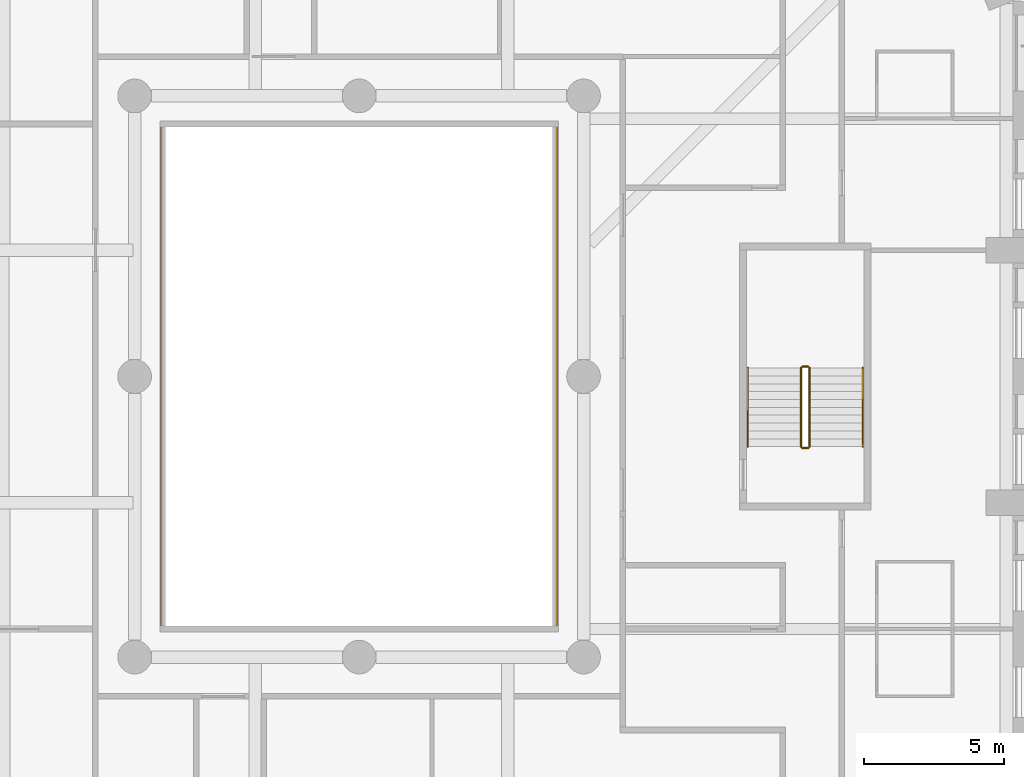
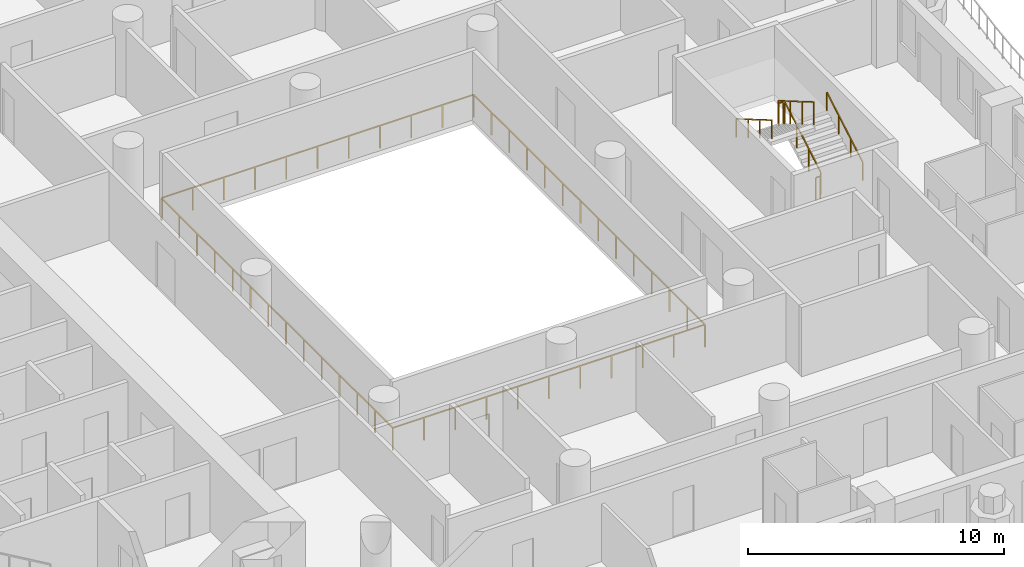
# One storey, part 14 of 19: 7 railings.
"""IFC4 building model written with IfcOpenShell, lengths in metres."""

from ifc_helpers import new_model, si_unit, direction, frame, origin, origin_2d, place, context, subcontext, project, spatial, rectangle, extrude, material, type_object, element, save


model = new_model("IFC4")

# Units and contexts
model_context = context("Model", 3, precision=1e-05, world=origin(), true_north=direction((0.0, 1.0)))
body_context = subcontext(model_context, "Body", "Model", "MODEL_VIEW")
ifc_project = project(units=[si_unit("LENGTHUNIT", "METRE"), si_unit("AREAUNIT", "SQUARE_METRE"), si_unit("VOLUMEUNIT", "CUBIC_METRE"), si_unit("PLANEANGLEUNIT", "RADIAN"), si_unit("MASSUNIT", "GRAM", prefix="KILO")], contexts=[model_context])

# Site, building, storey
site_placement = place(None, origin())
site = spatial("IfcSite", under=ifc_project, at=site_placement, CompositionType="ELEMENT")
building_placement = place(site_placement, origin())
building = spatial("IfcBuilding", under=site, at=building_placement, Name="Cypress Arch Tower", CompositionType="ELEMENT")
storey_placement = place(building_placement, frame((0.0, 0.0, 66.300048828125)))
storey = spatial("IfcBuildingStorey", under=building, at=storey_placement, Name="L10", CompositionType="ELEMENT", Elevation=66.300048828125)

# Railings
ifc_material_1 = material(Name="Stainless steel posts and handrail, laminated glass infill", Category="steel")
railing_type_1 = type_object("IfcRailingType", Name="Atrium guard GR1100A", PredefinedType="GUARDRAIL", material=ifc_material_1)
railing_1_placement = place(storey_placement, frame((8.050048828125, -9.050048828125, 0.0)))
element("IfcRailing", 1, at=railing_1_placement, inside=storey, type_object=railing_type_1, Name="Atrium guard L10", PredefinedType="GUARDRAIL", context=body_context, shape_type="SweptSolid", body=[
    extrude(rectangle(XDim=0.050048828125, YDim=0.050048828125, at=origin_2d()), frame((0.0, 0.0, 1.0751953125), z_axis=(-1.0, 0.0, 0.0), x_axis=(0.0, -1.0, 0.0)), (0.0, 0.0, 1.0), 14.10009765625),
    extrude(rectangle(XDim=0.050048828125, YDim=0.050048828125, at=origin_2d()), frame((-14.10009765625, 0.0, 1.0751953125), z_axis=(0.0, 1.0, 0.0), x_axis=(-1.0, 0.0, 0.0)), (0.0, 0.0, 1.0), 18.10009765625),
    extrude(rectangle(XDim=0.050048828125, YDim=0.050048828125, at=origin_2d()), frame((-14.10009765625, 18.10009765625, 1.0751953125), z_axis=(1.0, 0.0, 0.0), x_axis=(0.0, 1.0, 0.0)), (0.0, 0.0, 1.0), 14.10009765625),
    extrude(rectangle(XDim=0.050048828125, YDim=0.050048828125, at=origin_2d()), frame((0.0, 18.10009765625, 1.0751953125), z_axis=(0.0, -1.0, 0.0), x_axis=(1.0, 0.0, 0.0)), (0.0, 0.0, 1.0), 18.10009765625),
    extrude(rectangle(XDim=0.050048828125, YDim=0.050048828125, at=origin_2d()), origin(), (0.0, 0.0, 1.0), 1.050048828125),
    extrude(rectangle(XDim=0.050048828125, YDim=0.050048828125, at=origin_2d()), frame((-1.409912109375, 0.0, 0.0)), (0.0, 0.0, 1.0), 1.050048828125),
    extrude(rectangle(XDim=0.050048828125, YDim=0.050048828125, at=origin_2d()), frame((-2.820068359375, 0.0, 0.0)), (0.0, 0.0, 1.0), 1.050048828125),
    extrude(rectangle(XDim=0.050048828125, YDim=0.050048828125, at=origin_2d()), frame((-4.22998046875, 0.0, 0.0)), (0.0, 0.0, 1.0), 1.050048828125),
    extrude(rectangle(XDim=0.050048828125, YDim=0.050048828125, at=origin_2d()), frame((-5.64013671875, 0.0, 0.0)), (0.0, 0.0, 1.0), 1.050048828125),
    extrude(rectangle(XDim=0.050048828125, YDim=0.050048828125, at=origin_2d()), frame((-7.050048828125, 0.0, 0.0)), (0.0, 0.0, 1.0), 1.050048828125),
    extrude(rectangle(XDim=0.050048828125, YDim=0.050048828125, at=origin_2d()), frame((-8.4599609375, 0.0, 0.0)), (0.0, 0.0, 1.0), 1.050048828125),
    extrude(rectangle(XDim=0.050048828125, YDim=0.050048828125, at=origin_2d()), frame((-9.8701171875, 0.0, 0.0)), (0.0, 0.0, 1.0), 1.050048828125),
    extrude(rectangle(XDim=0.050048828125, YDim=0.050048828125, at=origin_2d()), frame((-11.280029296875, 0.0, 0.0)), (0.0, 0.0, 1.0), 1.050048828125),
    extrude(rectangle(XDim=0.050048828125, YDim=0.050048828125, at=origin_2d()), frame((-12.690185546875, 0.0, 0.0)), (0.0, 0.0, 1.0), 1.050048828125),
    extrude(rectangle(XDim=0.050048828125, YDim=0.050048828125, at=origin_2d()), frame((-14.10009765625, 0.0, 0.0)), (0.0, 0.0, 1.0), 1.050048828125),
    extrude(rectangle(XDim=0.050048828125, YDim=0.050048828125, at=origin_2d()), frame((-14.10009765625, 1.392333984375, 0.0)), (0.0, 0.0, 1.0), 1.050048828125),
    extrude(rectangle(XDim=0.050048828125, YDim=0.050048828125, at=origin_2d()), frame((-14.10009765625, 2.78466796875, 0.0)), (0.0, 0.0, 1.0), 1.050048828125),
    extrude(rectangle(XDim=0.050048828125, YDim=0.050048828125, at=origin_2d()), frame((-14.10009765625, 4.177001953125, 0.0)), (0.0, 0.0, 1.0), 1.050048828125),
    extrude(rectangle(XDim=0.050048828125, YDim=0.050048828125, at=origin_2d()), frame((-14.10009765625, 5.5693359375, 0.0)), (0.0, 0.0, 1.0), 1.050048828125),
    extrude(rectangle(XDim=0.050048828125, YDim=0.050048828125, at=origin_2d()), frame((-14.10009765625, 6.961669921875, 0.0)), (0.0, 0.0, 1.0), 1.050048828125),
    extrude(rectangle(XDim=0.050048828125, YDim=0.050048828125, at=origin_2d()), frame((-14.10009765625, 8.35400390625, 0.0)), (0.0, 0.0, 1.0), 1.050048828125),
    extrude(rectangle(XDim=0.050048828125, YDim=0.050048828125, at=origin_2d()), frame((-14.10009765625, 9.74609375, 0.0)), (0.0, 0.0, 1.0), 1.050048828125),
    extrude(rectangle(XDim=0.050048828125, YDim=0.050048828125, at=origin_2d()), frame((-14.10009765625, 11.138427734375, 0.0)), (0.0, 0.0, 1.0), 1.050048828125),
    extrude(rectangle(XDim=0.050048828125, YDim=0.050048828125, at=origin_2d()), frame((-14.10009765625, 12.53076171875, 0.0)), (0.0, 0.0, 1.0), 1.050048828125),
    extrude(rectangle(XDim=0.050048828125, YDim=0.050048828125, at=origin_2d()), frame((-14.10009765625, 13.923095703125, 0.0)), (0.0, 0.0, 1.0), 1.050048828125),
    extrude(rectangle(XDim=0.050048828125, YDim=0.050048828125, at=origin_2d()), frame((-14.10009765625, 15.3154296875, 0.0)), (0.0, 0.0, 1.0), 1.050048828125),
    extrude(rectangle(XDim=0.050048828125, YDim=0.050048828125, at=origin_2d()), frame((-14.10009765625, 16.707763671875, 0.0)), (0.0, 0.0, 1.0), 1.050048828125),
    extrude(rectangle(XDim=0.050048828125, YDim=0.050048828125, at=origin_2d()), frame((-14.10009765625, 18.10009765625, 0.0)), (0.0, 0.0, 1.0), 1.050048828125),
    extrude(rectangle(XDim=0.050048828125, YDim=0.050048828125, at=origin_2d()), frame((-12.690185546875, 18.10009765625, 0.0)), (0.0, 0.0, 1.0), 1.050048828125),
    extrude(rectangle(XDim=0.050048828125, YDim=0.050048828125, at=origin_2d()), frame((-11.280029296875, 18.10009765625, 0.0)), (0.0, 0.0, 1.0), 1.050048828125),
    extrude(rectangle(XDim=0.050048828125, YDim=0.050048828125, at=origin_2d()), frame((-9.8701171875, 18.10009765625, 0.0)), (0.0, 0.0, 1.0), 1.050048828125),
    extrude(rectangle(XDim=0.050048828125, YDim=0.050048828125, at=origin_2d()), frame((-8.4599609375, 18.10009765625, 0.0)), (0.0, 0.0, 1.0), 1.050048828125),
    extrude(rectangle(XDim=0.050048828125, YDim=0.050048828125, at=origin_2d()), frame((-7.050048828125, 18.10009765625, 0.0)), (0.0, 0.0, 1.0), 1.050048828125),
    extrude(rectangle(XDim=0.050048828125, YDim=0.050048828125, at=origin_2d()), frame((-5.64013671875, 18.10009765625, 0.0)), (0.0, 0.0, 1.0), 1.050048828125),
    extrude(rectangle(XDim=0.050048828125, YDim=0.050048828125, at=origin_2d()), frame((-4.22998046875, 18.10009765625, 0.0)), (0.0, 0.0, 1.0), 1.050048828125),
    extrude(rectangle(XDim=0.050048828125, YDim=0.050048828125, at=origin_2d()), frame((-2.820068359375, 18.10009765625, 0.0)), (0.0, 0.0, 1.0), 1.050048828125),
    extrude(rectangle(XDim=0.050048828125, YDim=0.050048828125, at=origin_2d()), frame((-1.409912109375, 18.10009765625, 0.0)), (0.0, 0.0, 1.0), 1.050048828125),
    extrude(rectangle(XDim=0.050048828125, YDim=0.050048828125, at=origin_2d()), frame((0.0, 18.10009765625, 0.0)), (0.0, 0.0, 1.0), 1.050048828125),
    extrude(rectangle(XDim=0.050048828125, YDim=0.050048828125, at=origin_2d()), frame((0.0, 16.707763671875, 0.0)), (0.0, 0.0, 1.0), 1.050048828125),
    extrude(rectangle(XDim=0.050048828125, YDim=0.050048828125, at=origin_2d()), frame((0.0, 15.3154296875, 0.0)), (0.0, 0.0, 1.0), 1.050048828125),
    extrude(rectangle(XDim=0.050048828125, YDim=0.050048828125, at=origin_2d()), frame((0.0, 13.923095703125, 0.0)), (0.0, 0.0, 1.0), 1.050048828125),
    extrude(rectangle(XDim=0.050048828125, YDim=0.050048828125, at=origin_2d()), frame((0.0, 12.53076171875, 0.0)), (0.0, 0.0, 1.0), 1.050048828125),
    extrude(rectangle(XDim=0.050048828125, YDim=0.050048828125, at=origin_2d()), frame((0.0, 11.138427734375, 0.0)), (0.0, 0.0, 1.0), 1.050048828125),
    extrude(rectangle(XDim=0.050048828125, YDim=0.050048828125, at=origin_2d()), frame((0.0, 9.74609375, 0.0)), (0.0, 0.0, 1.0), 1.050048828125),
    extrude(rectangle(XDim=0.050048828125, YDim=0.050048828125, at=origin_2d()), frame((0.0, 8.35400390625, 0.0)), (0.0, 0.0, 1.0), 1.050048828125),
    extrude(rectangle(XDim=0.050048828125, YDim=0.050048828125, at=origin_2d()), frame((0.0, 6.961669921875, 0.0)), (0.0, 0.0, 1.0), 1.050048828125),
    extrude(rectangle(XDim=0.050048828125, YDim=0.050048828125, at=origin_2d()), frame((0.0, 5.5693359375, 0.0)), (0.0, 0.0, 1.0), 1.050048828125),
    extrude(rectangle(XDim=0.050048828125, YDim=0.050048828125, at=origin_2d()), frame((0.0, 4.177001953125, 0.0)), (0.0, 0.0, 1.0), 1.050048828125),
    extrude(rectangle(XDim=0.050048828125, YDim=0.050048828125, at=origin_2d()), frame((0.0, 2.78466796875, 0.0)), (0.0, 0.0, 1.0), 1.050048828125),
    extrude(rectangle(XDim=0.050048828125, YDim=0.050048828125, at=origin_2d()), frame((0.0, 1.392333984375, 0.0)), (0.0, 0.0, 1.0), 1.050048828125),
])
ifc_material_2 = material(Name="Black powder-coated steel square bar 48 mm", Category="steel")
railing_type_2 = type_object("IfcRailingType", Name="Stair handrail HR1", PredefinedType="HANDRAIL", material=ifc_material_2)
railing_2_placement = place(storey_placement, frame((18.949951171875, -2.5, 0.16357421875)))
element("IfcRailing", 2, at=railing_2_placement, inside=storey, type_object=railing_type_2, Name="L10 C stair handrail 1", PredefinedType="HANDRAIL", context=body_context, shape_type="SweptSolid", body=[
    extrude(rectangle(XDim=0.048095703125, YDim=0.048095703125, at=origin_2d()), frame((0.0, 0.0, 0.8759765625), z_axis=(0.0, 0.863360870873, 0.504586966384), x_axis=(-1.0, 0.0, 0.0)), (0.0, 0.0, 1.0), 3.2431640625),
    extrude(rectangle(XDim=0.0419921875, YDim=0.0419921875, at=origin_2d()), origin(), (0.0, 0.0, 1.0), 0.851806640625),
    extrude(rectangle(XDim=0.0419921875, YDim=0.0419921875, at=origin_2d()), frame((0.0, 0.933349609375, 0.54541015625)), (0.0, 0.0, 1.0), 0.851806640625),
    extrude(rectangle(XDim=0.0419921875, YDim=0.0419921875, at=origin_2d()), frame((0.0, 1.86669921875, 1.091064453125)), (0.0, 0.0, 1.0), 0.851806640625),
    extrude(rectangle(XDim=0.0419921875, YDim=0.0419921875, at=origin_2d()), frame((0.0, 2.800048828125, 1.636474609375)), (0.0, 0.0, 1.0), 0.851806640625),
])
railing_3_placement = place(storey_placement, frame((14.85009765625, 0.300048828125, 1.963623046875)))
element("IfcRailing", 3, at=railing_3_placement, inside=storey, type_object=railing_type_2, Name="L10 C stair handrail 2", PredefinedType="HANDRAIL", context=body_context, shape_type="SweptSolid", body=[
    extrude(rectangle(XDim=0.048095703125, YDim=0.048095703125, at=origin_2d()), frame((0.0, 0.0, 0.8759765625), z_axis=(0.0, -0.863393664356, 0.504530851732), x_axis=(1.0, 0.0, 0.0)), (0.0, 0.0, 1.0), 3.2431640625),
    extrude(rectangle(XDim=0.0419921875, YDim=0.0419921875, at=origin_2d()), origin(), (0.0, 0.0, 1.0), 0.851806640625),
    extrude(rectangle(XDim=0.0419921875, YDim=0.0419921875, at=origin_2d()), frame((0.0, -0.933349609375, 0.54541015625)), (0.0, 0.0, 1.0), 0.851806640625),
    extrude(rectangle(XDim=0.0419921875, YDim=0.0419921875, at=origin_2d()), frame((0.0, -1.86669921875, 1.0908203125)), (0.0, 0.0, 1.0), 0.851806640625),
    extrude(rectangle(XDim=0.0419921875, YDim=0.0419921875, at=origin_2d()), frame((0.0, -2.800048828125, 1.63623046875)), (0.0, 0.0, 1.0), 0.851806640625),
])
ifc_material_3 = material(Name="Black powder-coated steel balusters", Category="steel")
railing_type_3 = type_object("IfcRailingType", Name="Stair well guard G1", PredefinedType="GUARDRAIL", material=ifc_material_3)
railing_4_placement = place(storey_placement, frame((17.050048828125, -2.5, 0.16357421875)))
element("IfcRailing", 4, at=railing_4_placement, inside=storey, type_object=railing_type_3, Name="L10 C stair guard 1", PredefinedType="GUARDRAIL", context=body_context, shape_type="SweptSolid", body=[
    extrude(rectangle(XDim=0.048095703125, YDim=0.048095703125, at=origin_2d()), frame((0.0, 0.0, 1.076171875), z_axis=(0.0, 0.863360870873, 0.504586966384), x_axis=(-1.0, 0.0, 0.0)), (0.0, 0.0, 1.0), 3.2431640625),
    extrude(rectangle(XDim=0.0419921875, YDim=0.0419921875, at=origin_2d()), origin(), (0.0, 0.0, 1.0), 1.052001953125),
    extrude(rectangle(XDim=0.0419921875, YDim=0.0419921875, at=origin_2d()), frame((0.0, 0.933349609375, 0.54541015625)), (0.0, 0.0, 1.0), 1.052001953125),
    extrude(rectangle(XDim=0.0419921875, YDim=0.0419921875, at=origin_2d()), frame((0.0, 1.86669921875, 1.091064453125)), (0.0, 0.0, 1.0), 1.052001953125),
    extrude(rectangle(XDim=0.0419921875, YDim=0.0419921875, at=origin_2d()), frame((0.0, 2.800048828125, 1.636474609375)), (0.0, 0.0, 1.0), 1.052001953125),
])
railing_5_placement = place(storey_placement, frame((17.0, 0.35009765625, 1.800048828125)))
element("IfcRailing", 5, at=railing_5_placement, inside=storey, type_object=railing_type_3, Name="L10 C stair guard 2", PredefinedType="GUARDRAIL", context=body_context, shape_type="SweptSolid", body=[
    extrude(rectangle(XDim=0.048095703125, YDim=0.048095703125, at=origin_2d()), frame((0.0, 0.0, 1.076171875), z_axis=(-1.0, 0.0, 0.0), x_axis=(0.0, -1.0, 0.0)), (0.0, 0.0, 1.0), 0.199951171875),
    extrude(rectangle(XDim=0.0419921875, YDim=0.0419921875, at=origin_2d()), origin(), (0.0, 0.0, 1.0), 1.052001953125),
    extrude(rectangle(XDim=0.0419921875, YDim=0.0419921875, at=origin_2d()), frame((-0.199951171875, 0.0, 0.0)), (0.0, 0.0, 1.0), 1.052001953125),
])
railing_6_placement = place(storey_placement, frame((16.75, 0.300048828125, 1.963623046875)))
element("IfcRailing", 6, at=railing_6_placement, inside=storey, type_object=railing_type_3, Name="L10 C stair guard 3", PredefinedType="GUARDRAIL", context=body_context, shape_type="SweptSolid", body=[
    extrude(rectangle(XDim=0.048095703125, YDim=0.048095703125, at=origin_2d()), frame((0.0, 0.0, 1.076171875), z_axis=(0.0, -0.863393664356, 0.504530851732), x_axis=(1.0, 0.0, 0.0)), (0.0, 0.0, 1.0), 3.2431640625),
    extrude(rectangle(XDim=0.0419921875, YDim=0.0419921875, at=origin_2d()), origin(), (0.0, 0.0, 1.0), 1.052001953125),
    extrude(rectangle(XDim=0.0419921875, YDim=0.0419921875, at=origin_2d()), frame((0.0, -0.933349609375, 0.54541015625)), (0.0, 0.0, 1.0), 1.052001953125),
    extrude(rectangle(XDim=0.0419921875, YDim=0.0419921875, at=origin_2d()), frame((0.0, -1.86669921875, 1.0908203125)), (0.0, 0.0, 1.0), 1.052001953125),
    extrude(rectangle(XDim=0.0419921875, YDim=0.0419921875, at=origin_2d()), frame((0.0, -2.800048828125, 1.63623046875)), (0.0, 0.0, 1.0), 1.052001953125),
])
railing_7_placement = place(storey_placement, frame((17.0, -2.550048828125, 0.0)))
element("IfcRailing", 7, at=railing_7_placement, inside=storey, type_object=railing_type_3, Name="L10 C stair guard 4", PredefinedType="GUARDRAIL", context=body_context, shape_type="SweptSolid", body=[
    extrude(rectangle(XDim=0.048095703125, YDim=0.048095703125, at=origin_2d()), frame((0.0, 0.0, 1.076171875), z_axis=(-1.0, 0.0, 0.0), x_axis=(0.0, -1.0, 0.0)), (0.0, 0.0, 1.0), 0.199951171875),
    extrude(rectangle(XDim=0.0419921875, YDim=0.0419921875, at=origin_2d()), origin(), (0.0, 0.0, 1.0), 1.052001953125),
    extrude(rectangle(XDim=0.0419921875, YDim=0.0419921875, at=origin_2d()), frame((-0.199951171875, 0.0, 0.0)), (0.0, 0.0, 1.0), 1.052001953125),
])

save(model, "model.ifc")
